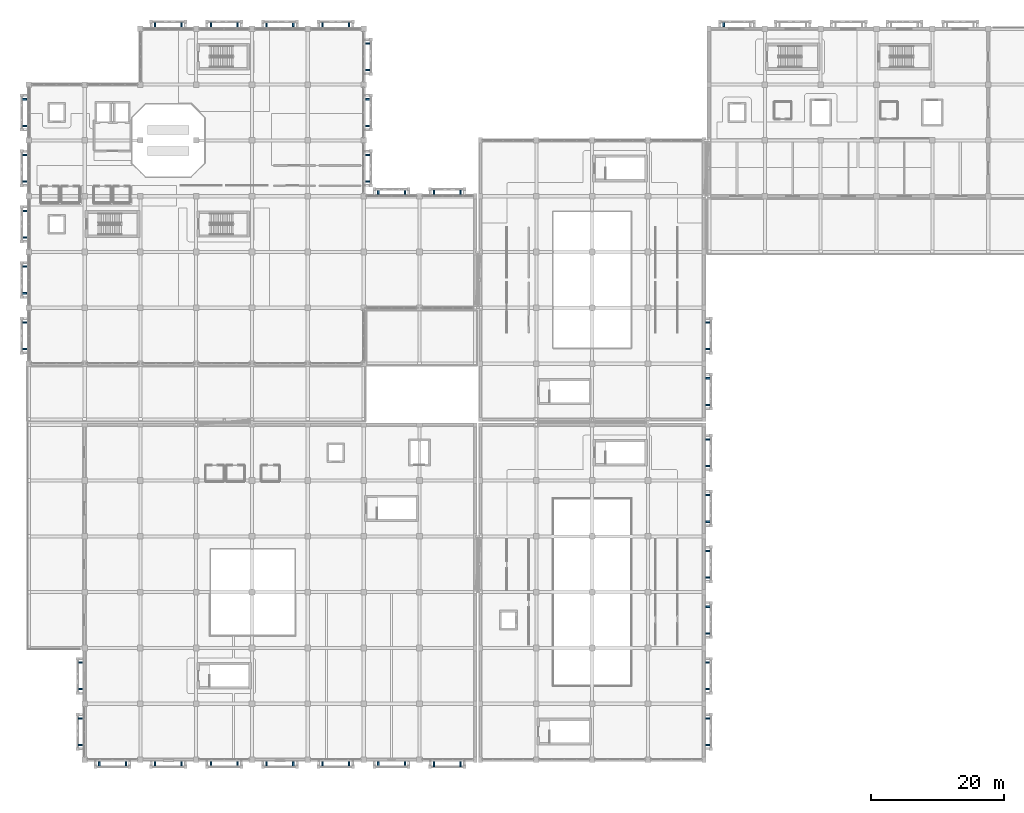
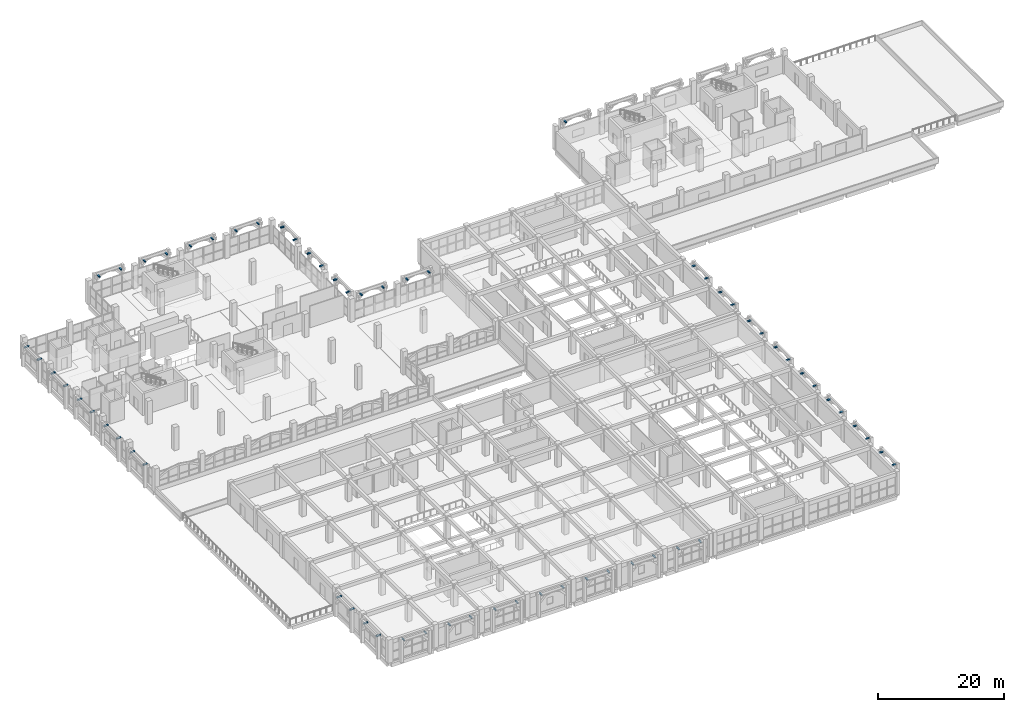
# One storey, part 117 of 129: 63 discrete accessories.
"""IFC4 building model written with IfcOpenShell, lengths in metres."""

from ifc_helpers import new_model, si_unit, direction, frame, origin, origin_2d, place, context, subcontext, project, spatial, rectangle, extrude, material, type_object, element, save


model = new_model("IFC4")

# Units and contexts
model_context = context("Model", 3, precision=1e-05, world=origin(), true_north=direction((0.0, 1.0)))
body_context = subcontext(model_context, "Body", "Model", "MODEL_VIEW")
ifc_project = project(units=[si_unit("LENGTHUNIT", "METRE"), si_unit("AREAUNIT", "SQUARE_METRE"), si_unit("VOLUMEUNIT", "CUBIC_METRE"), si_unit("PLANEANGLEUNIT", "RADIAN"), si_unit("MASSUNIT", "GRAM", prefix="KILO")], contexts=[model_context])

# Site, building, storey
site_placement = place(None, origin())
site = spatial("IfcSite", under=ifc_project, at=site_placement, CompositionType="ELEMENT")
building_placement = place(site_placement, origin())
building = spatial("IfcBuilding", under=site, at=building_placement, Name="Xazarin Passage Department Store", CompositionType="ELEMENT")
storey_placement = place(building_placement, frame((0.0, 0.0, 9.89990234375)))
storey = spatial("IfcBuildingStorey", under=building, at=storey_placement, Name="L02", CompositionType="ELEMENT", Elevation=9.89990234375)

# Discrete accessories
ifc_material = material(Name="Steel S355", Category="steel")
discrete_accessory_type = type_object("IfcDiscreteAccessoryType", Name="ARC-BRK-S355-A", PredefinedType="BRACKET", material=ifc_material)
for number, where, z_axis, x_axis, name in (
    (1, (19.0, 110.699951171875, 3.84033203125), (0.0, 0.0, 1.0), (1.0, 0.0, 0.0), "L02 V1 Spandrel Tie Bracket 0005"),
    (2, (23.0, 110.699951171875, 3.84033203125), (0.0, 0.0, 1.0), (1.0, 0.0, 0.0), "L02 V1 Spandrel Tie Bracket 0006"),
    (3, (27.39990234375, 110.699951171875, 3.84033203125), (0.0, 0.0, 1.0), (1.0, 0.0, 0.0), "L02 V1 Spandrel Tie Bracket 0021"),
    (4, (31.39990234375, 110.699951171875, 3.84033203125), (0.0, 0.0, 1.0), (1.0, 0.0, 0.0), "L02 V1 Spandrel Tie Bracket 0022"),
    (5, (35.800048828125, 110.699951171875, 3.84033203125), (0.0, 0.0, 1.0), (1.0, 0.0, 0.0), "L02 V1 Spandrel Tie Bracket 0037"),
    (6, (39.800048828125, 110.699951171875, 3.84033203125), (0.0, 0.0, 1.0), (1.0, 0.0, 0.0), "L02 V1 Spandrel Tie Bracket 0038"),
    (7, (44.199951171875, 110.699951171875, 3.84033203125), (0.0, 0.0, 1.0), (1.0, 0.0, 0.0), "L02 V1 Spandrel Tie Bracket 0049"),
    (8, (48.199951171875, 110.699951171875, 3.84033203125), (0.0, 0.0, 1.0), (1.0, 0.0, 0.0), "L02 V1 Spandrel Tie Bracket 0050"),
    (9, (52.60009765625, 85.5, 3.84033203125), (0.0, 0.0, 1.0), (1.0, 0.0, 0.0), "L02 V1 Spandrel Tie Bracket 0057"),
    (10, (56.60009765625, 85.5, 3.84033203125), (0.0, 0.0, 1.0), (1.0, 0.0, 0.0), "L02 V1 Spandrel Tie Bracket 0058"),
    (11, (61.0, 85.5, 3.84033203125), (0.0, 0.0, 1.0), (1.0, 0.0, 0.0), "L02 V1 Spandrel Tie Bracket 0069"),
    (12, (65.0, 85.5, 3.84033203125), (0.0, 0.0, 1.0), (1.0, 0.0, 0.0), "L02 V1 Spandrel Tie Bracket 0070"),
    (13, (-0.699951171875, 61.800048828125, 3.84033203125), (0.0, 0.0, 1.0), (0.0, 1.0, 0.0), "L02 V1 Spandrel Tie Bracket 0081"),
    (14, (-0.699951171875, 65.800048828125, 3.84033203125), (0.0, 0.0, 1.0), (0.0, 1.0, 0.0), "L02 V1 Spandrel Tie Bracket 0082"),
    (15, (-0.699951171875, 70.199951171875, 3.84033203125), (0.0, 0.0, 1.0), (0.0, 1.0, 0.0), "L02 V1 Spandrel Tie Bracket 0087"),
    (16, (-0.699951171875, 74.199951171875, 3.84033203125), (0.0, 0.0, 1.0), (0.0, 1.0, 0.0), "L02 V1 Spandrel Tie Bracket 0088"),
    (17, (-0.699951171875, 78.60009765625, 3.84033203125), (0.0, 0.0, 1.0), (0.0, 1.0, 0.0), "L02 V1 Spandrel Tie Bracket 0097"),
    (18, (-0.699951171875, 82.60009765625, 3.84033203125), (0.0, 0.0, 1.0), (0.0, 1.0, 0.0), "L02 V1 Spandrel Tie Bracket 0098"),
    (19, (-0.699951171875, 87.0, 3.84033203125), (0.0, 0.0, 1.0), (0.0, 1.0, 0.0), "L02 V1 Spandrel Tie Bracket 0113"),
    (20, (-0.699951171875, 91.0, 3.84033203125), (0.0, 0.0, 1.0), (0.0, 1.0, 0.0), "L02 V1 Spandrel Tie Bracket 0114"),
    (21, (-0.699951171875, 95.39990234375, 3.84033203125), (0.0, 0.0, 1.0), (0.0, 1.0, 0.0), "L02 V1 Spandrel Tie Bracket 0129"),
    (22, (-0.699951171875, 99.39990234375, 3.84033203125), (0.0, 0.0, 1.0), (0.0, 1.0, 0.0), "L02 V1 Spandrel Tie Bracket 0130"),
    (23, (51.10009765625, 87.0, 3.84033203125), (0.0, 0.0, 1.0), (0.0, 1.0, 0.0), "L02 V1 Spandrel Tie Bracket 0145"),
    (24, (51.10009765625, 91.0, 3.84033203125), (0.0, 0.0, 1.0), (0.0, 1.0, 0.0), "L02 V1 Spandrel Tie Bracket 0146"),
    (25, (51.10009765625, 95.39990234375, 3.84033203125), (0.0, 0.0, 1.0), (0.0, 1.0, 0.0), "L02 V1 Spandrel Tie Bracket 0153"),
    (26, (51.10009765625, 99.39990234375, 3.84033203125), (0.0, 0.0, 1.0), (0.0, 1.0, 0.0), "L02 V1 Spandrel Tie Bracket 0154"),
    (27, (51.10009765625, 103.800048828125, 3.84033203125), (0.0, 0.0, 1.0), (0.0, 1.0, 0.0), "L02 V1 Spandrel Tie Bracket 0161"),
    (28, (51.10009765625, 107.800048828125, 3.84033203125), (0.0, 0.0, 1.0), (0.0, 1.0, 0.0), "L02 V1 Spandrel Tie Bracket 0162"),
    (29, (102.300048828125, 2.199951171875, 3.84033203125), (0.0, 0.0, 1.0), (0.0, 1.0, 0.0), "L02 V2S Spandrel Tie Bracket 0171"),
    (30, (102.300048828125, 6.199951171875, 3.84033203125), (0.0, 0.0, 1.0), (0.0, 1.0, 0.0), "L02 V2S Spandrel Tie Bracket 0172"),
    (31, (102.300048828125, 10.60009765625, 3.84033203125), (0.0, 0.0, 1.0), (0.0, 1.0, 0.0), "L02 V2S Spandrel Tie Bracket 0177"),
    (32, (102.300048828125, 14.60009765625, 3.84033203125), (0.0, 0.0, 1.0), (0.0, 1.0, 0.0), "L02 V2S Spandrel Tie Bracket 0178"),
    (33, (102.300048828125, 19.0, 3.84033203125), (0.0, 0.0, 1.0), (0.0, 1.0, 0.0), "L02 V2S Spandrel Tie Bracket 0183"),
    (34, (102.300048828125, 23.0, 3.84033203125), (0.0, 0.0, 1.0), (0.0, 1.0, 0.0), "L02 V2S Spandrel Tie Bracket 0184"),
    (35, (102.300048828125, 27.39990234375, 3.84033203125), (0.0, 0.0, 1.0), (0.0, 1.0, 0.0), "L02 V2S Spandrel Tie Bracket 0189"),
    (36, (102.300048828125, 31.39990234375, 3.84033203125), (0.0, 0.0, 1.0), (0.0, 1.0, 0.0), "L02 V2S Spandrel Tie Bracket 0190"),
    (37, (102.300048828125, 35.800048828125, 3.84033203125), (0.0, 0.0, 1.0), (0.0, 1.0, 0.0), "L02 V2S Spandrel Tie Bracket 0195"),
    (38, (102.300048828125, 39.800048828125, 3.84033203125), (0.0, 0.0, 1.0), (0.0, 1.0, 0.0), "L02 V2S Spandrel Tie Bracket 0196"),
    (39, (102.300048828125, 44.199951171875, 3.84033203125), (0.0, 0.0, 1.0), (0.0, 1.0, 0.0), "L02 V2S Spandrel Tie Bracket 0201"),
    (40, (102.300048828125, 48.199951171875, 3.84033203125), (0.0, 0.0, 1.0), (0.0, 1.0, 0.0), "L02 V2S Spandrel Tie Bracket 0202"),
    (41, (102.300048828125, 53.39990234375, 3.84033203125), (0.0, 0.0, 1.0), (0.0, 1.0, 0.0), "L02 V2N Spandrel Tie Bracket 0207"),
    (42, (102.300048828125, 57.39990234375, 3.84033203125), (0.0, 0.0, 1.0), (0.0, 1.0, 0.0), "L02 V2N Spandrel Tie Bracket 0208"),
    (43, (102.300048828125, 61.800048828125, 3.84033203125), (0.0, 0.0, 1.0), (0.0, 1.0, 0.0), "L02 V2N Spandrel Tie Bracket 0213"),
    (44, (102.300048828125, 65.800048828125, 3.84033203125), (0.0, 0.0, 1.0), (0.0, 1.0, 0.0), "L02 V2N Spandrel Tie Bracket 0214"),
    (45, (10.60009765625, -0.699951171875, 3.84033203125), (0.0, 0.0, 1.0), (1.0, 0.0, 0.0), "L02 V3 Spandrel Tie Bracket 0223"),
    (46, (14.60009765625, -0.699951171875, 3.84033203125), (0.0, 0.0, 1.0), (1.0, 0.0, 0.0), "L02 V3 Spandrel Tie Bracket 0224"),
    (47, (19.0, -0.699951171875, 3.84033203125), (0.0, 0.0, 1.0), (1.0, 0.0, 0.0), "L02 V3 Spandrel Tie Bracket 0229"),
    (48, (23.0, -0.699951171875, 3.84033203125), (0.0, 0.0, 1.0), (1.0, 0.0, 0.0), "L02 V3 Spandrel Tie Bracket 0230"),
    (49, (27.39990234375, -0.699951171875, 3.84033203125), (0.0, 0.0, 1.0), (1.0, 0.0, 0.0), "L02 V3 Spandrel Tie Bracket 0235"),
    (50, (31.39990234375, -0.699951171875, 3.84033203125), (0.0, 0.0, 1.0), (1.0, 0.0, 0.0), "L02 V3 Spandrel Tie Bracket 0236"),
    (51, (35.800048828125, -0.699951171875, 3.84033203125), (0.0, 0.0, 1.0), (1.0, 0.0, 0.0), "L02 V3 Spandrel Tie Bracket 0241"),
    (52, (39.800048828125, -0.699951171875, 3.84033203125), (0.0, 0.0, 1.0), (1.0, 0.0, 0.0), "L02 V3 Spandrel Tie Bracket 0242"),
    (53, (44.199951171875, -0.699951171875, 3.84033203125), (0.0, 0.0, 1.0), (1.0, 0.0, 0.0), "L02 V3 Spandrel Tie Bracket 0247"),
    (54, (48.199951171875, -0.699951171875, 3.84033203125), (0.0, 0.0, 1.0), (1.0, 0.0, 0.0), "L02 V3 Spandrel Tie Bracket 0248"),
    (55, (52.60009765625, -0.699951171875, 3.84033203125), (0.0, 0.0, 1.0), (1.0, 0.0, 0.0), "L02 V3 Spandrel Tie Bracket 0253"),
    (56, (56.60009765625, -0.699951171875, 3.84033203125), (0.0, 0.0, 1.0), (1.0, 0.0, 0.0), "L02 V3 Spandrel Tie Bracket 0254"),
    (57, (61.0, -0.699951171875, 3.84033203125), (0.0, 0.0, 1.0), (1.0, 0.0, 0.0), "L02 V3 Spandrel Tie Bracket 0259"),
    (58, (65.0, -0.699951171875, 3.84033203125), (0.0, 0.0, 1.0), (1.0, 0.0, 0.0), "L02 V3 Spandrel Tie Bracket 0260"),
    (59, (7.699951171875, 2.199951171875, 3.84033203125), (0.0, 0.0, 1.0), (0.0, 1.0, 0.0), "L02 V3 Spandrel Tie Bracket 0281"),
    (60, (7.699951171875, 6.199951171875, 3.84033203125), (0.0, 0.0, 1.0), (0.0, 1.0, 0.0), "L02 V3 Spandrel Tie Bracket 0282"),
    (61, (7.699951171875, 10.60009765625, 3.84033203125), (0.0, 0.0, 1.0), (0.0, 1.0, 0.0), "L02 V3 Spandrel Tie Bracket 0287"),
    (62, (7.699951171875, 14.60009765625, 3.84033203125), (0.0, 0.0, 1.0), (0.0, 1.0, 0.0), "L02 V3 Spandrel Tie Bracket 0288"),
    (63, (104.60009765625, 110.699951171875, 3.84033203125), (0.0, 0.0, 1.0), (1.0, 0.0, 0.0), "L02 V4 Spandrel Tie Bracket 0293"),
):
    element("IfcDiscreteAccessory", number, at=place(storey_placement, frame(where, z_axis=z_axis, x_axis=x_axis)), inside=storey, type_object=discrete_accessory_type, Name=name, PredefinedType="BRACKET", context=body_context, shape_type="SweptSolid", body=[
        extrude(rectangle(XDim=0.239990234375, YDim=0.75, at=origin_2d()), origin(), (0.0, 0.0, 1.0), 0.219970703125),
    ])

save(model, "model.ifc")
